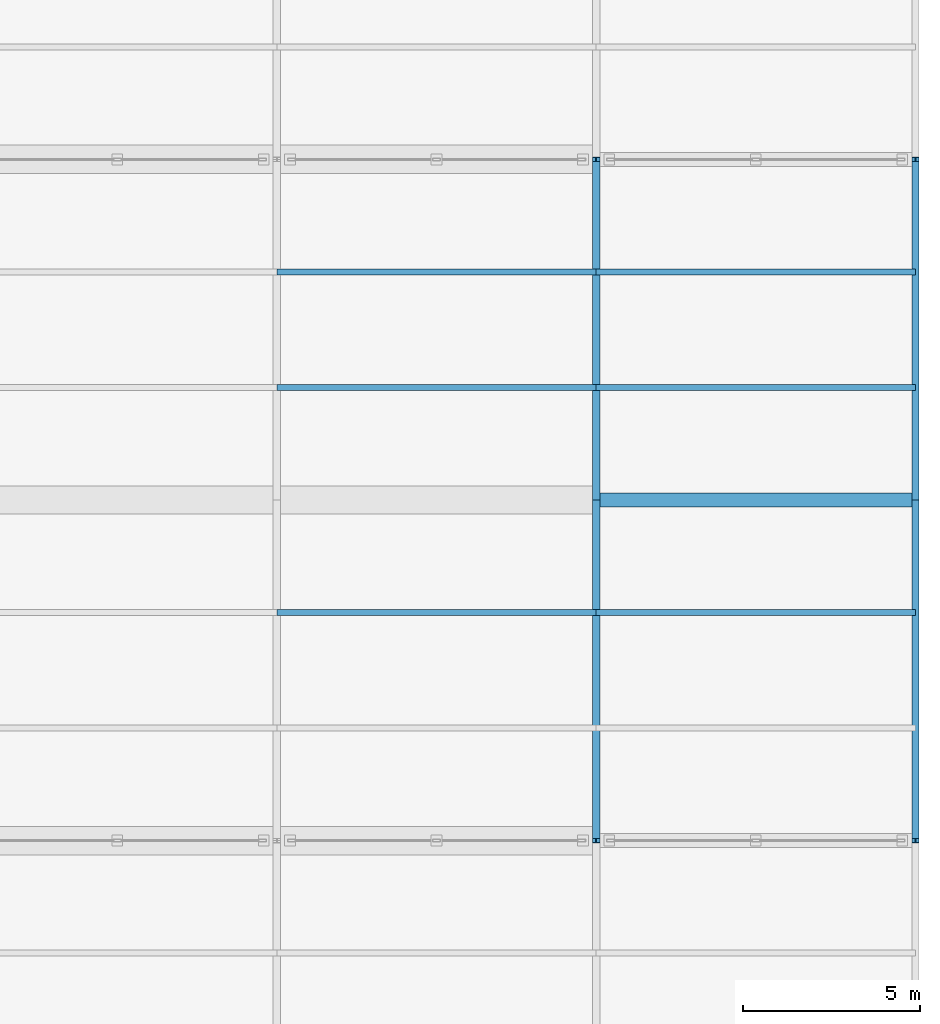
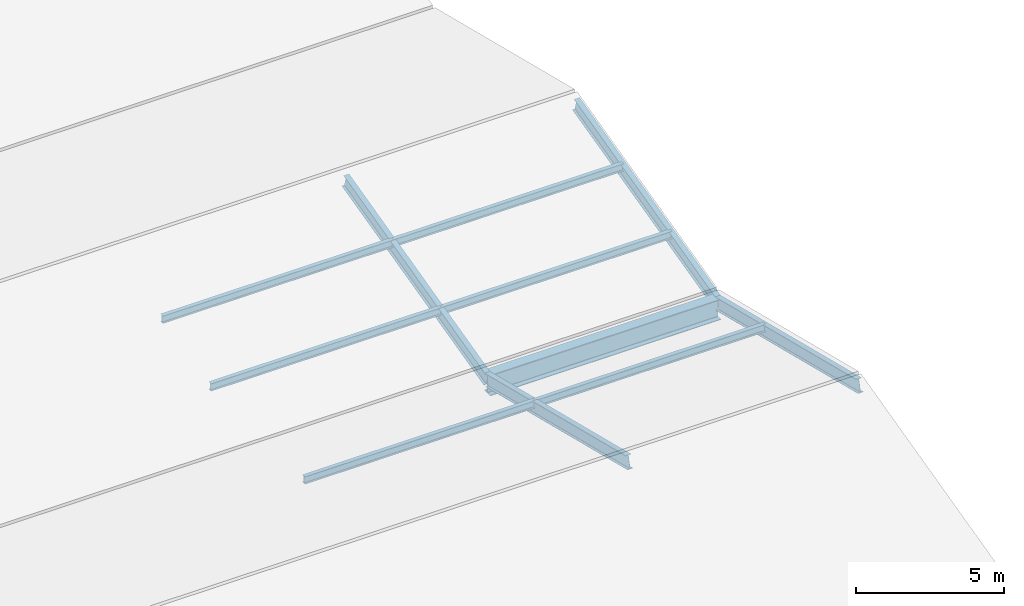
# One storey, part 15 of 36: 10 members, 1 beam.
"""IFC4 building model written with IfcOpenShell, lengths in metres."""

from ifc_helpers import new_model, si_unit, direction, frame, origin, origin_2d, place, context, subcontext, project, spatial, i_section, extrude, material, material_profile, profile_set, type_object, element, save


model = new_model("IFC4")

# Units and contexts
model_context = context("Model", 3, precision=1e-05, world=origin(), true_north=direction((0.0, 1.0)))
body_context = subcontext(model_context, "Body", "Model", "MODEL_VIEW")
ifc_project = project(units=[si_unit("LENGTHUNIT", "METRE"), si_unit("AREAUNIT", "SQUARE_METRE"), si_unit("VOLUMEUNIT", "CUBIC_METRE"), si_unit("PLANEANGLEUNIT", "RADIAN"), si_unit("MASSUNIT", "GRAM", prefix="KILO")], contexts=[model_context])

# Site, building, storey
site_placement = place(None, origin())
site = spatial("IfcSite", under=ifc_project, at=site_placement, CompositionType="ELEMENT")
building_placement = place(site_placement, origin())
building = spatial("IfcBuilding", under=site, at=building_placement, Name="Qorvath Tower", CompositionType="ELEMENT")
storey_placement = place(building_placement, frame((0.0, 0.0, 27.0)))
storey = spatial("IfcBuildingStorey", under=building, at=storey_placement, Name="L05", CompositionType="ELEMENT", Elevation=27.0)

# Beam
ifc_material_1 = material(Name="Steel ASTM A992 Grade 50", Category="steel")
ifc_material_profile_1 = material_profile(ifc_material_1, i_section(OverallWidth=0.39892578125, OverallDepth=0.85498046875, WebThickness=0.018310546875, FlangeThickness=0.029296875, FilletRadius=0.02001953125, at=origin_2d()), Name="W33x201")
ifc_profile_set_1 = profile_set([ifc_material_profile_1], Name="Steel ASTM A992 Grade 50")
beam_type = type_object("IfcBeamType", Name="BM-FG2", PredefinedType="BEAM", material=ifc_profile_set_1)
beam_placement = place(storey_placement, frame((68.39990234375, 0.0, -0.7275390625), z_axis=(1.0, 0.0, 0.0), x_axis=(0.0, 1.0, 0.0)))
element("IfcBeam", 1, at=beam_placement, inside=storey, type_object=beam_type, Name="Library Roof Fold Girder 5-E", PredefinedType="BEAM", context=body_context, shape_type="SweptSolid", body=[
    extrude(i_section(OverallWidth=0.39892578125, OverallDepth=0.85498046875, WebThickness=0.018310546875, FlangeThickness=0.029296875, FilletRadius=0.02001953125, at=origin_2d()), origin(), (0.0, 0.0, 1.0), 9.0),
])

# Members
ifc_material_2 = material(Name="Steel ASTM A992 Grade 50", Category="steel")
ifc_material_profile_2 = material_profile(ifc_material_2, i_section(OverallWidth=0.1650390625, OverallDepth=0.31005859375, WebThickness=0.005859375, FlangeThickness=0.009765625, FilletRadius=0.010009765625, at=origin_2d()), Name="W12x26")
ifc_profile_set_2 = profile_set([ifc_material_profile_2], Name="Steel ASTM A992 Grade 50")
member_type_1 = type_object("IfcMemberType", Name="MEM-PR1", PredefinedType="PURLIN", material=ifc_profile_set_2)
for number, where, z_axis, x_axis, name in (
    (2, (59.39990234375, -3.16796875, 0.357177734375), (1.0, 0.0, 0.0), (0.0, 1.0, 0.0), "Library Folded Roof Purlin F4-P2-4"),
    (3, (68.39990234375, -3.16796875, 0.357177734375), (1.0, 0.0, 0.0), (0.0, 1.0, 0.0), "Library Folded Roof Purlin F4-P2-5"),
    (4, (59.39990234375, 3.16796875, 0.357177734375), (1.0, 0.0, 0.0), (0.0, 1.0, 0.0), "Library Folded Roof Purlin F5-P1-4"),
    (5, (68.39990234375, 3.16796875, 0.357177734375), (1.0, 0.0, 0.0), (0.0, 1.0, 0.0), "Library Folded Roof Purlin F5-P1-5"),
    (6, (59.39990234375, 6.431884765625, 1.1708984375), (1.0, 0.0, 0.0), (0.0, 1.0, 0.0), "Library Folded Roof Purlin F5-P2-4"),
    (7, (68.39990234375, 6.431884765625, 1.1708984375), (1.0, 0.0, 0.0), (0.0, 1.0, 0.0), "Library Folded Roof Purlin F5-P2-5"),
):
    element("IfcMember", number, at=place(storey_placement, frame(where, z_axis=z_axis, x_axis=x_axis)), inside=storey, type_object=member_type_1, Name=name, PredefinedType="PURLIN", context=body_context, shape_type="SweptSolid", body=[
        extrude(i_section(OverallWidth=0.1650390625, OverallDepth=0.31005859375, WebThickness=0.005859375, FlangeThickness=0.009765625, FilletRadius=0.010009765625, at=origin_2d()), origin(), (0.0, 0.0, 1.0), 9.0),
    ])
ifc_material_3 = material(Name="Steel ASTM A992 Grade 50", Category="steel")
ifc_material_profile_3 = material_profile(ifc_material_3, i_section(OverallWidth=0.208984375, OverallDepth=0.532958984375, WebThickness=0.01025390625, FlangeThickness=0.015625, FilletRadius=0.013916015625, at=origin_2d()), Name="W21x62")
ifc_profile_set_3 = profile_set([ifc_material_profile_3], Name="Steel ASTM A992 Grade 50")
member_type_2 = type_object("IfcMemberType", Name="MEM-RF1", PredefinedType="RAFTER", material=ifc_profile_set_3)
for number, where, z_axis, x_axis, name in (
    (8, (68.39990234375, -9.60009765625, 1.829345703125), (0.0, 0.970296164909, -0.24192013633), (-1.0, 0.0, 0.0), "Library Folded Roof Rafter F4-5"),
    (9, (77.39990234375, -9.60009765625, 1.829345703125), (0.0, 0.970296164909, -0.24192013633), (-1.0, 0.0, 0.0), "Library Folded Roof Rafter F4-6"),
    (10, (68.39990234375, 0.0, -0.564208984375), (0.0, 0.970296164909, 0.24192013633), (-1.0, 0.0, 0.0), "Library Folded Roof Rafter F5-5"),
    (11, (77.39990234375, 0.0, -0.564208984375), (0.0, 0.970296164909, 0.24192013633), (-1.0, 0.0, 0.0), "Library Folded Roof Rafter F5-6"),
):
    element("IfcMember", number, at=place(storey_placement, frame(where, z_axis=z_axis, x_axis=x_axis)), inside=storey, type_object=member_type_2, Name=name, PredefinedType="RAFTER", context=body_context, shape_type="SweptSolid", body=[
        extrude(i_section(OverallWidth=0.208984375, OverallDepth=0.532958984375, WebThickness=0.01025390625, FlangeThickness=0.015625, FilletRadius=0.013916015625, at=origin_2d()), origin(), (0.0, 0.0, 1.0), 9.89404296875),
    ])

save(model, "model.ifc")
